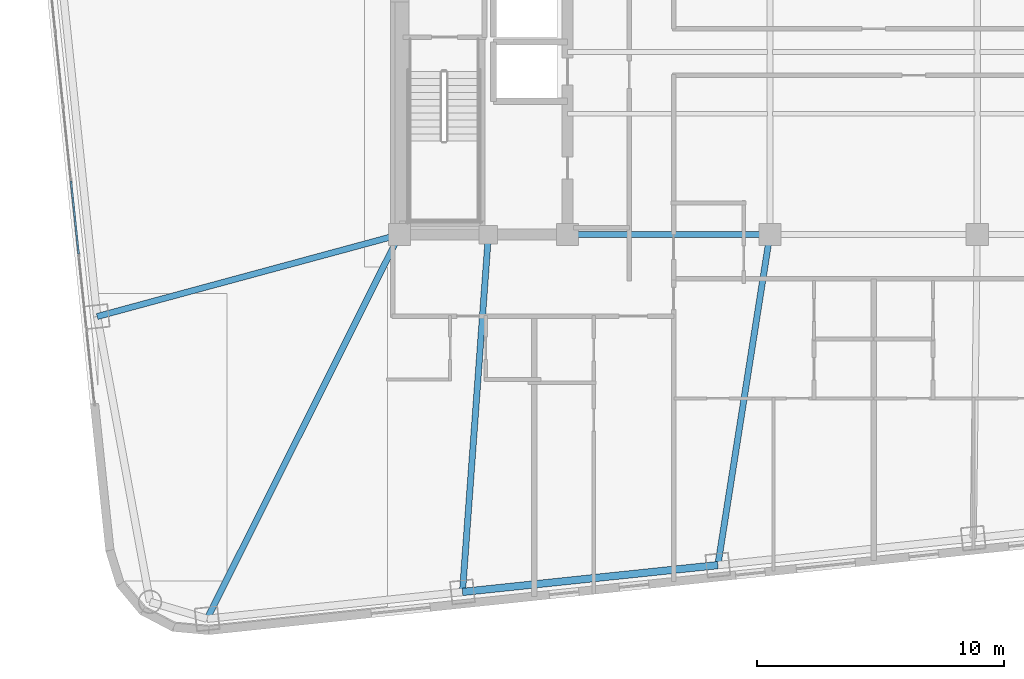
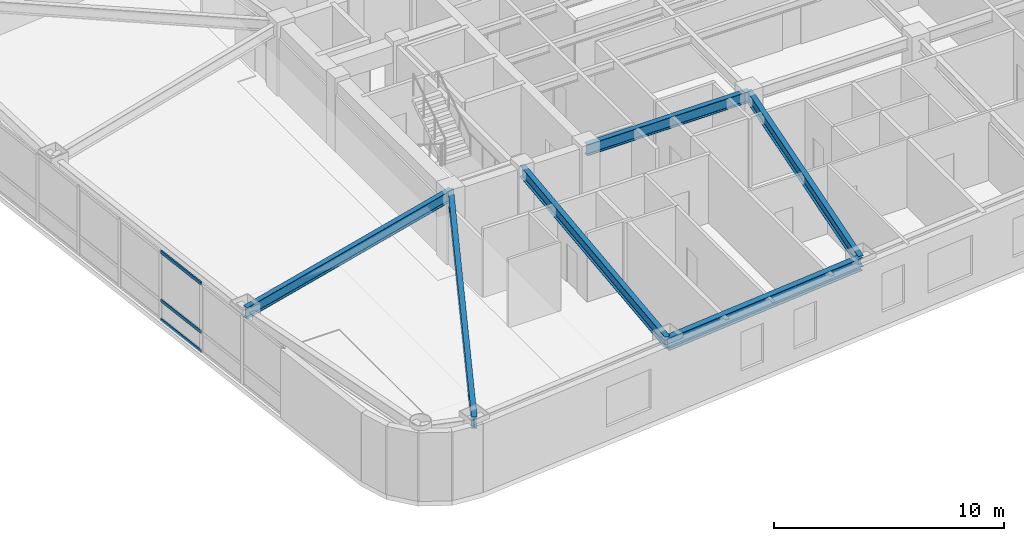
# One storey, part 3 of 15: 6 beams, 3 members, 1 element without a shape of its own.
"""IFC4 building model written with IfcOpenShell, lengths in metres."""

from ifc_helpers import new_model, si_unit, direction, frame, origin, origin_2d, place, context, subcontext, project, spatial, hollow_rectangle, i_section, extrude, material, layer, layer_set, material_profile, profile_set, type_object, element, aggregate, save


model = new_model("IFC4")

# Units and contexts
model_context = context("Model", 3, precision=1e-05, world=origin(), true_north=direction((0.0, 1.0)))
body_context = subcontext(model_context, "Body", "Model", "MODEL_VIEW")
ifc_project = project(units=[si_unit("LENGTHUNIT", "METRE"), si_unit("AREAUNIT", "SQUARE_METRE"), si_unit("VOLUMEUNIT", "CUBIC_METRE"), si_unit("PLANEANGLEUNIT", "RADIAN"), si_unit("MASSUNIT", "GRAM", prefix="KILO")], contexts=[model_context])

# Site, building, storey
site_placement = place(None, origin())
site = spatial("IfcSite", under=ifc_project, at=site_placement, CompositionType="ELEMENT")
building_placement = place(site_placement, origin())
building = spatial("IfcBuilding", under=site, at=building_placement, Name="Voryun Gate Residences", CompositionType="ELEMENT")
storey_placement = place(building_placement, frame((0.0, 0.0, 148.199951171875)))
storey = spatial("IfcBuildingStorey", under=building, at=storey_placement, Name="L36", CompositionType="ELEMENT", Elevation=148.199951171875)

# Beams
ifc_material_1 = material(Name="Steel SM355", Category="steel")
ifc_material_profile_1 = material_profile(ifc_material_1, i_section(OverallWidth=0.300048828125, OverallDepth=0.679931640625, WebThickness=0.013916015625, FlangeThickness=0.02490234375, FilletRadius=0.01806640625, at=origin_2d()), Name="H-680x300x14x25")
ifc_profile_set_1 = profile_set([ifc_material_profile_1], Name="Steel SM355")
beam_type_1 = type_object("IfcBeamType", Name="BM_EXO_SPANDREL_M", PredefinedType="SPANDREL", material=ifc_profile_set_1)
beam_1_placement = place(storey_placement, frame((-16.650146484375, -21.87255859375, 3.31005859375), z_axis=(0.994521263116, 0.104534478571, 0.0), x_axis=(-0.104534478571, 0.994521263116, 0.0)))
element("IfcBeam", 1, at=beam_1_placement, inside=storey, type_object=beam_type_1, Name="BM-L36-SPAND-02", PredefinedType="SPANDREL", context=body_context, shape_type="SweptSolid", body=[
    extrude(i_section(OverallWidth=0.300048828125, OverallDepth=0.679931640625, WebThickness=0.013916015625, FlangeThickness=0.02490234375, FilletRadius=0.01806640625, at=origin_2d()), origin(), (0.0, 0.0, 1.0), 10.39990234375),
])
ifc_material_2 = material(Name="Steel SM355", Category="steel")
ifc_material_profile_2 = material_profile(ifc_material_2, i_section(OverallWidth=0.25, OverallDepth=0.60009765625, WebThickness=0.011962890625, FlangeThickness=0.02197265625, FilletRadius=0.01806640625, at=origin_2d()), Name="H-600x250x12x22")
ifc_profile_set_2 = profile_set([ifc_material_profile_2], Name="Steel SM355")
beam_type_2 = type_object("IfcBeamType", Name="BM_GIRD_600", PredefinedType="USERDEFINED", material=ifc_profile_set_2)
beam_2_placement = place(storey_placement, frame((-12.39990234375, -7.39990234375, 3.35009765625), z_axis=(1.0, 0.0, 0.0), x_axis=(0.0, 1.0, 0.0)))
element("IfcBeam", 2, at=beam_2_placement, inside=storey, type_object=beam_type_2, Name="BM-L36-SPG1-S", ObjectType="GIRDER", PredefinedType="USERDEFINED", context=body_context, shape_type="SweptSolid", body=[
    extrude(i_section(OverallWidth=0.25, OverallDepth=0.60009765625, WebThickness=0.011962890625, FlangeThickness=0.02197265625, FilletRadius=0.01806640625, at=origin_2d()), origin(), (0.0, 0.0, 1.0), 8.199951171875),
])
beam_3_placement = place(storey_placement, frame((-19.199951171875, -7.39990234375, 3.35009765625), z_axis=(-0.447830780254, -0.894118332357, 0.0), x_axis=(0.894118332357, -0.447830780254, 0.0)))
element("IfcBeam", 3, at=beam_3_placement, inside=storey, type_object=beam_type_2, Name="BM-L36-RAD-S1", ObjectType="GIRDER", PredefinedType="USERDEFINED", context=body_context, shape_type="SweptSolid", body=[
    extrude(i_section(OverallWidth=0.25, OverallDepth=0.60009765625, WebThickness=0.011962890625, FlangeThickness=0.02197265625, FilletRadius=0.01806640625, at=origin_2d()), origin(), (0.0, 0.0, 1.0), 17.402099609375),
])
beam_4_placement = place(storey_placement, frame((-15.60009765625, -7.39990234375, 3.35009765625), z_axis=(-0.072363766769, -0.99737830599, 0.0), x_axis=(0.99737830599, -0.072363766769, 0.0)))
element("IfcBeam", 4, at=beam_4_placement, inside=storey, type_object=beam_type_2, Name="BM-L36-RAD-S2", ObjectType="GIRDER", PredefinedType="USERDEFINED", context=body_context, shape_type="SweptSolid", body=[
    extrude(i_section(OverallWidth=0.25, OverallDepth=0.60009765625, WebThickness=0.011962890625, FlangeThickness=0.02197265625, FilletRadius=0.01806640625, at=origin_2d()), origin(), (0.0, 0.0, 1.0), 14.5107421875),
])
beam_5_placement = place(storey_placement, frame((-4.199951171875, -7.39990234375, 3.35009765625), z_axis=(-0.155507352157, -0.987834734875, 0.0), x_axis=(0.987834734875, -0.155507352157, 0.0)))
element("IfcBeam", 5, at=beam_5_placement, inside=storey, type_object=beam_type_2, Name="BM-L36-RAD-S3", ObjectType="GIRDER", PredefinedType="USERDEFINED", context=body_context, shape_type="SweptSolid", body=[
    extrude(i_section(OverallWidth=0.25, OverallDepth=0.60009765625, WebThickness=0.011962890625, FlangeThickness=0.02197265625, FilletRadius=0.01806640625, at=origin_2d()), origin(), (0.0, 0.0, 1.0), 13.55029296875),
])
beam_6_placement = place(storey_placement, frame((-19.199951171875, -7.39990234375, 3.35009765625), z_axis=(-0.965202497616, -0.261503611058, 0.0), x_axis=(0.261503611058, -0.965202497616, 0.0)))
element("IfcBeam", 6, at=beam_6_placement, inside=storey, type_object=beam_type_2, Name="BM-L36-RAD-W2", ObjectType="GIRDER", PredefinedType="USERDEFINED", context=body_context, shape_type="SweptSolid", body=[
    extrude(i_section(OverallWidth=0.25, OverallDepth=0.60009765625, WebThickness=0.011962890625, FlangeThickness=0.02197265625, FilletRadius=0.01806640625, at=origin_2d()), origin(), (0.0, 0.0, 1.0), 12.688720703125),
])

# Curtain wall, members
ifc_material_3 = material(Name="Anodised aluminium", Category="aluminium")
ifc_layer = layer(ifc_material_3, 0.2099609375, Name="CW_SYS_SKYGARDEN_DARK_GLASS")
ifc_layer_set = layer_set([ifc_layer], Name="Anodised aluminium")
curtain_wall_type = type_object("IfcCurtainWallType", Name="CW_SYS_SKYGARDEN_DARK_GLASS", PredefinedType="NOTDEFINED", material=ifc_layer_set)
curtain_wall_placement = place(storey_placement, origin())
curtain_wall = element("IfcCurtainWall", 7, at=curtain_wall_placement, inside=storey, type_object=curtain_wall_type, Name="Curtain wall CW5-L36-SG-06", PredefinedType="NOTDEFINED")
ifc_material_4 = material(Name="Anodised aluminium", Category="aluminium")
ifc_material_profile_3 = material_profile(ifc_material_4, hollow_rectangle(XDim=0.074951171875, YDim=0.169921875, WallThickness=0.0048828125, at=origin_2d()), Name="ALU-TRAN-170x75x5")
ifc_profile_set_3 = profile_set([ifc_material_profile_3], Name="Anodised aluminium")
member_type = type_object("IfcMemberType", Name="CW_TRAN_SKY", PredefinedType="USERDEFINED", material=ifc_profile_set_3)
member_1_placement = place(storey_placement, frame((-32.1953125, -8.19091796875, 0.030029296875), z_axis=(-0.104560790128, 0.994518497147, 0.0), x_axis=(-0.994518497147, -0.104560790128, 0.0)))
member_1 = element("IfcMember", 8, at=member_1_placement, type_object=member_type, Name="CW5 transom 3.1", ObjectType="TRANSOM", PredefinedType="USERDEFINED", context=body_context, shape_type="SweptSolid", body=[
    extrude(hollow_rectangle(XDim=0.074951171875, YDim=0.169921875, WallThickness=0.0048828125, at=origin_2d()), origin(), (0.0, 0.0, 1.0), 2.972412109375),
])
member_2_placement = place(storey_placement, frame((-32.1953125, -8.19091796875, 1.050048828125), z_axis=(-0.104560790128, 0.994518497147, 0.0), x_axis=(-0.994518497147, -0.104560790128, 0.0)))
member_2 = element("IfcMember", 9, at=member_2_placement, type_object=member_type, Name="CW5 transom 3.2", ObjectType="TRANSOM", PredefinedType="USERDEFINED", context=body_context, shape_type="SweptSolid", body=[
    extrude(hollow_rectangle(XDim=0.074951171875, YDim=0.169921875, WallThickness=0.0048828125, at=origin_2d()), origin(), (0.0, 0.0, 1.0), 2.972412109375),
])
member_3_placement = place(storey_placement, frame((-32.1953125, -8.19091796875, 3.6201171875), z_axis=(-0.104560790128, 0.994518497147, 0.0), x_axis=(-0.994518497147, -0.104560790128, 0.0)))
member_3 = element("IfcMember", 10, at=member_3_placement, type_object=member_type, Name="CW5 transom 3.3", ObjectType="TRANSOM", PredefinedType="USERDEFINED", context=body_context, shape_type="SweptSolid", body=[
    extrude(hollow_rectangle(XDim=0.074951171875, YDim=0.169921875, WallThickness=0.0048828125, at=origin_2d()), origin(), (0.0, 0.0, 1.0), 2.972412109375),
])
aggregate(curtain_wall, [member_1, member_2, member_3])

save(model, "model.ifc")
